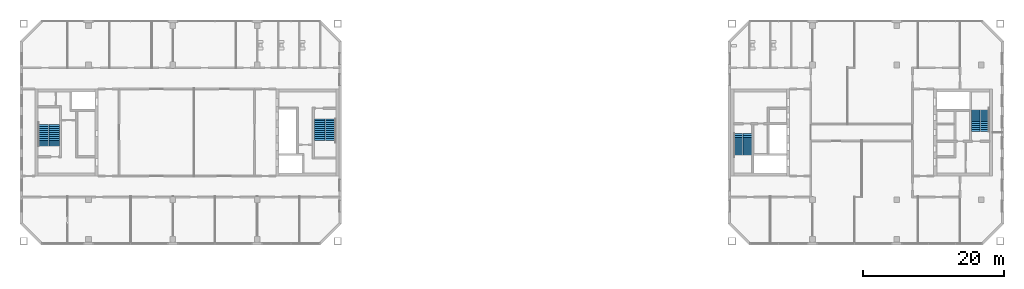
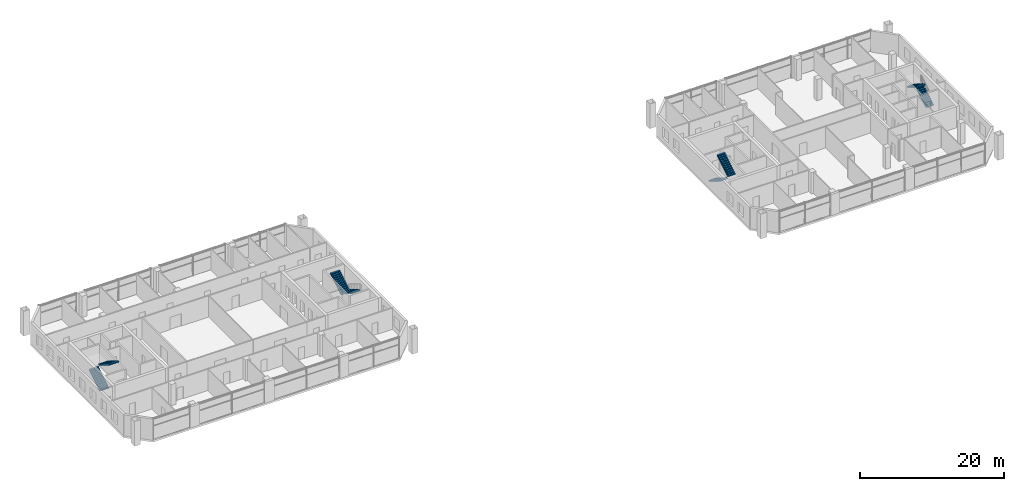
# One storey, part 17 of 19: 8 stair flights, 4 elements without a shape of their own.
"""IFC4 building model written with IfcOpenShell, lengths in metres."""

from ifc_helpers import new_model, si_unit, direction, frame, origin, place, context, subcontext, project, spatial, polyline, outline, extrude, material, type_object, element, aggregate, save


model = new_model("IFC4")

# Units and contexts
model_context = context("Model", 3, precision=1e-05, world=origin(), true_north=direction((0.0, 1.0)))
body_context = subcontext(model_context, "Body", "Model", "MODEL_VIEW")
ifc_project = project(units=[si_unit("LENGTHUNIT", "METRE"), si_unit("AREAUNIT", "SQUARE_METRE"), si_unit("VOLUMEUNIT", "CUBIC_METRE"), si_unit("PLANEANGLEUNIT", "RADIAN"), si_unit("MASSUNIT", "GRAM", prefix="KILO")], contexts=[model_context])

# Site, building, storey
site_placement = place(None, origin())
site = spatial("IfcSite", under=ifc_project, at=site_placement, CompositionType="ELEMENT")
building_placement = place(site_placement, origin())
building = spatial("IfcBuilding", under=site, at=building_placement, Name="Tuart Gate Housing", CompositionType="ELEMENT")
storey_placement = place(building_placement, frame((0.0, 0.0, 171.60009765625)))
storey = spatial("IfcBuildingStorey", under=building, at=storey_placement, Name="L48", CompositionType="ELEMENT", Elevation=171.60009765625)

# Stair, stair flights
ifc_material_1 = material(Name="Concrete C40", Category="concrete")
stair_type_1 = type_object("IfcStairType", Name="Core stair 1250", PredefinedType="HALF_TURN_STAIR", material=ifc_material_1)
stair_1_placement = place(storey_placement, origin())
stair_1 = element("IfcStair", 1, at=stair_1_placement, inside=storey, type_object=stair_type_1, Name="Stair SB1", PredefinedType="HALF_TURN_STAIR")
ifc_material_2 = material(Name="Concrete C40", Category="concrete")
stair_flight_type_1 = type_object("IfcStairFlightType", Name="Stair flight 1250, 12 risers 175 x 280", PredefinedType="STRAIGHT", material=ifc_material_2)
stair_flight_1_placement = place(storey_placement, frame((132.43505859375, 69.875, 0.0), z_axis=(0.0, 0.0, 1.0), x_axis=(0.0, -1.0, 0.0)))
stair_flight_1 = element("IfcStairFlight", 2, at=stair_flight_1_placement, type_object=stair_flight_type_1, Name="SB1 flight 1", NumberOfRisers=12, NumberOfTreads=11, PredefinedType="STRAIGHT", RiserHeight=0.175, TreadLength=0.28, context=body_context, shape_type="SweptSolid", body=[
    extrude(outline(polyline([(0.0, 0.0), (0.0, 0.175048828125), (0.280029296875, 0.175048828125), (0.280029296875, 0.35009765625), (0.56005859375, 0.35009765625), (0.56005859375, 0.52490234375), (0.840087890625, 0.52490234375), (0.840087890625, 0.699951171875), (1.1201171875, 0.699951171875), (1.1201171875, 0.875), (1.39990234375, 0.875), (1.39990234375, 1.050048828125), (1.679931640625, 1.050048828125), (1.679931640625, 1.22509765625), (1.9599609375, 1.22509765625), (1.9599609375, 1.39990234375), (2.239990234375, 1.39990234375), (2.239990234375, 1.574951171875), (2.52001953125, 1.574951171875), (2.52001953125, 1.75), (2.800048828125, 1.75), (2.800048828125, 1.925048828125), (3.080078125, 1.925048828125), (3.080078125, 2.10009765625), (3.080078125, 1.748291015625), (0.28271484375, 0.0), (0.0, 0.0)])), frame((0.0, 0.625, 0.0), z_axis=(0.0, -1.0, 0.0), x_axis=(1.0, 0.0, 0.0)), (0.0, 0.0, 1.0), 1.25),
])
stair_flight_2_placement = place(storey_placement, frame((133.760009765625, 66.794921875, 2.099853515625), z_axis=(0.0, 0.0, 1.0), x_axis=(0.0, 1.0, 0.0)))
stair_flight_2 = element("IfcStairFlight", 3, at=stair_flight_2_placement, type_object=stair_flight_type_1, Name="SB1 flight 2", NumberOfRisers=12, NumberOfTreads=11, PredefinedType="STRAIGHT", RiserHeight=0.175, TreadLength=0.28, context=body_context, shape_type="SweptSolid", body=[
    extrude(outline(polyline([(0.0, 0.0), (0.0, 0.175048828125), (0.280029296875, 0.175048828125), (0.280029296875, 0.35009765625), (0.56005859375, 0.35009765625), (0.56005859375, 0.52490234375), (0.840087890625, 0.52490234375), (0.840087890625, 0.699951171875), (1.1201171875, 0.699951171875), (1.1201171875, 0.875), (1.39990234375, 0.875), (1.39990234375, 1.050048828125), (1.679931640625, 1.050048828125), (1.679931640625, 1.22509765625), (1.9599609375, 1.22509765625), (1.9599609375, 1.39990234375), (2.239990234375, 1.39990234375), (2.239990234375, 1.574951171875), (2.52001953125, 1.574951171875), (2.52001953125, 1.75), (2.800048828125, 1.75), (2.800048828125, 1.925048828125), (3.080078125, 1.925048828125), (3.080078125, 2.10009765625), (3.080078125, 1.748291015625), (0.28271484375, 0.0), (0.0, 0.0)])), frame((0.0, 0.625, 0.0), z_axis=(0.0, -1.0, 0.0), x_axis=(1.0, 0.0, 0.0)), (0.0, 0.0, 1.0), 1.25),
])
aggregate(stair_1, [stair_flight_1, stair_flight_2])

stair_2_placement = place(storey_placement, origin())
stair_2 = element("IfcStair", 4, at=stair_2_placement, inside=storey, type_object=stair_type_1, Name="Stair SB2", PredefinedType="HALF_TURN_STAIR")
stair_flight_3_placement = place(storey_placement, frame((167.56494140625, 70.125, 0.0), z_axis=(0.0, 0.0, 1.0), x_axis=(0.0, 1.0, 0.0)))
stair_flight_3 = element("IfcStairFlight", 5, at=stair_flight_3_placement, type_object=stair_flight_type_1, Name="SB2 flight 1", NumberOfRisers=12, NumberOfTreads=11, PredefinedType="STRAIGHT", RiserHeight=0.175, TreadLength=0.28, context=body_context, shape_type="SweptSolid", body=[
    extrude(outline(polyline([(0.0, 0.0), (0.0, 0.175048828125), (0.280029296875, 0.175048828125), (0.280029296875, 0.35009765625), (0.56005859375, 0.35009765625), (0.56005859375, 0.52490234375), (0.840087890625, 0.52490234375), (0.840087890625, 0.699951171875), (1.1201171875, 0.699951171875), (1.1201171875, 0.875), (1.39990234375, 0.875), (1.39990234375, 1.050048828125), (1.679931640625, 1.050048828125), (1.679931640625, 1.22509765625), (1.9599609375, 1.22509765625), (1.9599609375, 1.39990234375), (2.239990234375, 1.39990234375), (2.239990234375, 1.574951171875), (2.52001953125, 1.574951171875), (2.52001953125, 1.75), (2.800048828125, 1.75), (2.800048828125, 1.925048828125), (3.080078125, 1.925048828125), (3.080078125, 2.10009765625), (3.080078125, 1.748291015625), (0.28271484375, 0.0), (0.0, 0.0)])), frame((0.0, 0.625, 0.0), z_axis=(0.0, -1.0, 0.0), x_axis=(1.0, 0.0, 0.0)), (0.0, 0.0, 1.0), 1.25),
])
stair_flight_4_placement = place(storey_placement, frame((166.239990234375, 73.205078125, 2.099853515625), z_axis=(0.0, 0.0, 1.0), x_axis=(0.0, -1.0, 0.0)))
stair_flight_4 = element("IfcStairFlight", 6, at=stair_flight_4_placement, type_object=stair_flight_type_1, Name="SB2 flight 2", NumberOfRisers=12, NumberOfTreads=11, PredefinedType="STRAIGHT", RiserHeight=0.175, TreadLength=0.28, context=body_context, shape_type="SweptSolid", body=[
    extrude(outline(polyline([(0.0, 0.0), (0.0, 0.175048828125), (0.280029296875, 0.175048828125), (0.280029296875, 0.35009765625), (0.56005859375, 0.35009765625), (0.56005859375, 0.52490234375), (0.840087890625, 0.52490234375), (0.840087890625, 0.699951171875), (1.1201171875, 0.699951171875), (1.1201171875, 0.875), (1.39990234375, 0.875), (1.39990234375, 1.050048828125), (1.679931640625, 1.050048828125), (1.679931640625, 1.22509765625), (1.9599609375, 1.22509765625), (1.9599609375, 1.39990234375), (2.239990234375, 1.39990234375), (2.239990234375, 1.574951171875), (2.52001953125, 1.574951171875), (2.52001953125, 1.75), (2.800048828125, 1.75), (2.800048828125, 1.925048828125), (3.080078125, 1.925048828125), (3.080078125, 2.10009765625), (3.080078125, 1.748291015625), (0.28271484375, 0.0), (0.0, 0.0)])), frame((0.0, 0.625, 0.0), z_axis=(0.0, -1.0, 0.0), x_axis=(1.0, 0.0, 0.0)), (0.0, 0.0, 1.0), 1.25),
])
aggregate(stair_2, [stair_flight_3, stair_flight_4])

ifc_material_3 = material(Name="Concrete C40", Category="concrete")
stair_type_2 = type_object("IfcStairType", Name="Core stair 1500", PredefinedType="HALF_TURN_STAIR", material=ifc_material_3)
stair_3_placement = place(storey_placement, origin())
stair_3 = element("IfcStair", 7, at=stair_3_placement, inside=storey, type_object=stair_type_2, Name="Stair SA1", PredefinedType="HALF_TURN_STAIR")
ifc_material_4 = material(Name="Concrete C40", Category="concrete")
stair_flight_type_2 = type_object("IfcStairFlightType", Name="Stair flight 1500, 12 risers 175 x 280", PredefinedType="STRAIGHT", material=ifc_material_4)
stair_flight_5_placement = place(storey_placement, frame((74.43994140625, 71.949951171875, 0.0), z_axis=(0.0, 0.0, 1.0), x_axis=(0.0, -1.0, 0.0)))
stair_flight_5 = element("IfcStairFlight", 8, at=stair_flight_5_placement, type_object=stair_flight_type_2, Name="SA1 flight 1", NumberOfRisers=12, NumberOfTreads=11, PredefinedType="STRAIGHT", RiserHeight=0.175, TreadLength=0.28, context=body_context, shape_type="SweptSolid", body=[
    extrude(outline(polyline([(0.0, 0.0), (0.0, 0.175048828125), (0.280029296875, 0.175048828125), (0.280029296875, 0.35009765625), (0.56005859375, 0.35009765625), (0.56005859375, 0.52490234375), (0.840087890625, 0.52490234375), (0.840087890625, 0.699951171875), (1.1201171875, 0.699951171875), (1.1201171875, 0.875), (1.39990234375, 0.875), (1.39990234375, 1.050048828125), (1.679931640625, 1.050048828125), (1.679931640625, 1.22509765625), (1.9599609375, 1.22509765625), (1.9599609375, 1.39990234375), (2.239990234375, 1.39990234375), (2.239990234375, 1.574951171875), (2.52001953125, 1.574951171875), (2.52001953125, 1.75), (2.800048828125, 1.75), (2.800048828125, 1.925048828125), (3.080078125, 1.925048828125), (3.080078125, 2.10009765625), (3.080078125, 1.748291015625), (0.28271484375, 0.0), (0.0, 0.0)])), frame((0.0, 0.75, 0.0), z_axis=(0.0, -1.0, 0.0), x_axis=(1.0, 0.0, 0.0)), (0.0, 0.0, 1.0), 1.5),
])
stair_flight_6_placement = place(storey_placement, frame((72.864990234375, 68.8701171875, 2.099853515625), z_axis=(0.0, 0.0, 1.0), x_axis=(0.0, 1.0, 0.0)))
stair_flight_6 = element("IfcStairFlight", 9, at=stair_flight_6_placement, type_object=stair_flight_type_2, Name="SA1 flight 2", NumberOfRisers=12, NumberOfTreads=11, PredefinedType="STRAIGHT", RiserHeight=0.175, TreadLength=0.28, context=body_context, shape_type="SweptSolid", body=[
    extrude(outline(polyline([(0.0, 0.0), (0.0, 0.175048828125), (0.280029296875, 0.175048828125), (0.280029296875, 0.35009765625), (0.56005859375, 0.35009765625), (0.56005859375, 0.52490234375), (0.840087890625, 0.52490234375), (0.840087890625, 0.699951171875), (1.1201171875, 0.699951171875), (1.1201171875, 0.875), (1.39990234375, 0.875), (1.39990234375, 1.050048828125), (1.679931640625, 1.050048828125), (1.679931640625, 1.22509765625), (1.9599609375, 1.22509765625), (1.9599609375, 1.39990234375), (2.239990234375, 1.39990234375), (2.239990234375, 1.574951171875), (2.52001953125, 1.574951171875), (2.52001953125, 1.75), (2.800048828125, 1.75), (2.800048828125, 1.925048828125), (3.080078125, 1.925048828125), (3.080078125, 2.10009765625), (3.080078125, 1.748291015625), (0.28271484375, 0.0), (0.0, 0.0)])), frame((0.0, 0.75, 0.0), z_axis=(0.0, -1.0, 0.0), x_axis=(1.0, 0.0, 0.0)), (0.0, 0.0, 1.0), 1.5),
])
aggregate(stair_3, [stair_flight_5, stair_flight_6])

stair_4_placement = place(storey_placement, origin())
stair_4 = element("IfcStair", 10, at=stair_4_placement, inside=storey, type_object=stair_type_2, Name="Stair SA2", PredefinedType="HALF_TURN_STAIR")
stair_flight_7_placement = place(storey_placement, frame((33.56005859375, 68.050048828125, 0.0), z_axis=(0.0, 0.0, 1.0), x_axis=(0.0, 1.0, 0.0)))
stair_flight_7 = element("IfcStairFlight", 11, at=stair_flight_7_placement, type_object=stair_flight_type_2, Name="SA2 flight 1", NumberOfRisers=12, NumberOfTreads=11, PredefinedType="STRAIGHT", RiserHeight=0.175, TreadLength=0.28, context=body_context, shape_type="SweptSolid", body=[
    extrude(outline(polyline([(0.0, 0.0), (0.0, 0.175048828125), (0.280029296875, 0.175048828125), (0.280029296875, 0.35009765625), (0.56005859375, 0.35009765625), (0.56005859375, 0.52490234375), (0.840087890625, 0.52490234375), (0.840087890625, 0.699951171875), (1.1201171875, 0.699951171875), (1.1201171875, 0.875), (1.39990234375, 0.875), (1.39990234375, 1.050048828125), (1.679931640625, 1.050048828125), (1.679931640625, 1.22509765625), (1.9599609375, 1.22509765625), (1.9599609375, 1.39990234375), (2.239990234375, 1.39990234375), (2.239990234375, 1.574951171875), (2.52001953125, 1.574951171875), (2.52001953125, 1.75), (2.800048828125, 1.75), (2.800048828125, 1.925048828125), (3.080078125, 1.925048828125), (3.080078125, 2.10009765625), (3.080078125, 1.748291015625), (0.28271484375, 0.0), (0.0, 0.0)])), frame((0.0, 0.75, 0.0), z_axis=(0.0, -1.0, 0.0), x_axis=(1.0, 0.0, 0.0)), (0.0, 0.0, 1.0), 1.5),
])
stair_flight_8_placement = place(storey_placement, frame((35.135009765625, 71.1298828125, 2.099853515625), z_axis=(0.0, 0.0, 1.0), x_axis=(0.0, -1.0, 0.0)))
stair_flight_8 = element("IfcStairFlight", 12, at=stair_flight_8_placement, type_object=stair_flight_type_2, Name="SA2 flight 2", NumberOfRisers=12, NumberOfTreads=11, PredefinedType="STRAIGHT", RiserHeight=0.175, TreadLength=0.28, context=body_context, shape_type="SweptSolid", body=[
    extrude(outline(polyline([(0.0, 0.0), (0.0, 0.175048828125), (0.280029296875, 0.175048828125), (0.280029296875, 0.35009765625), (0.56005859375, 0.35009765625), (0.56005859375, 0.52490234375), (0.840087890625, 0.52490234375), (0.840087890625, 0.699951171875), (1.1201171875, 0.699951171875), (1.1201171875, 0.875), (1.39990234375, 0.875), (1.39990234375, 1.050048828125), (1.679931640625, 1.050048828125), (1.679931640625, 1.22509765625), (1.9599609375, 1.22509765625), (1.9599609375, 1.39990234375), (2.239990234375, 1.39990234375), (2.239990234375, 1.574951171875), (2.52001953125, 1.574951171875), (2.52001953125, 1.75), (2.800048828125, 1.75), (2.800048828125, 1.925048828125), (3.080078125, 1.925048828125), (3.080078125, 2.10009765625), (3.080078125, 1.748291015625), (0.28271484375, 0.0), (0.0, 0.0)])), frame((0.0, 0.75, 0.0), z_axis=(0.0, -1.0, 0.0), x_axis=(1.0, 0.0, 0.0)), (0.0, 0.0, 1.0), 1.5),
])
aggregate(stair_4, [stair_flight_7, stair_flight_8])

save(model, "model.ifc")
